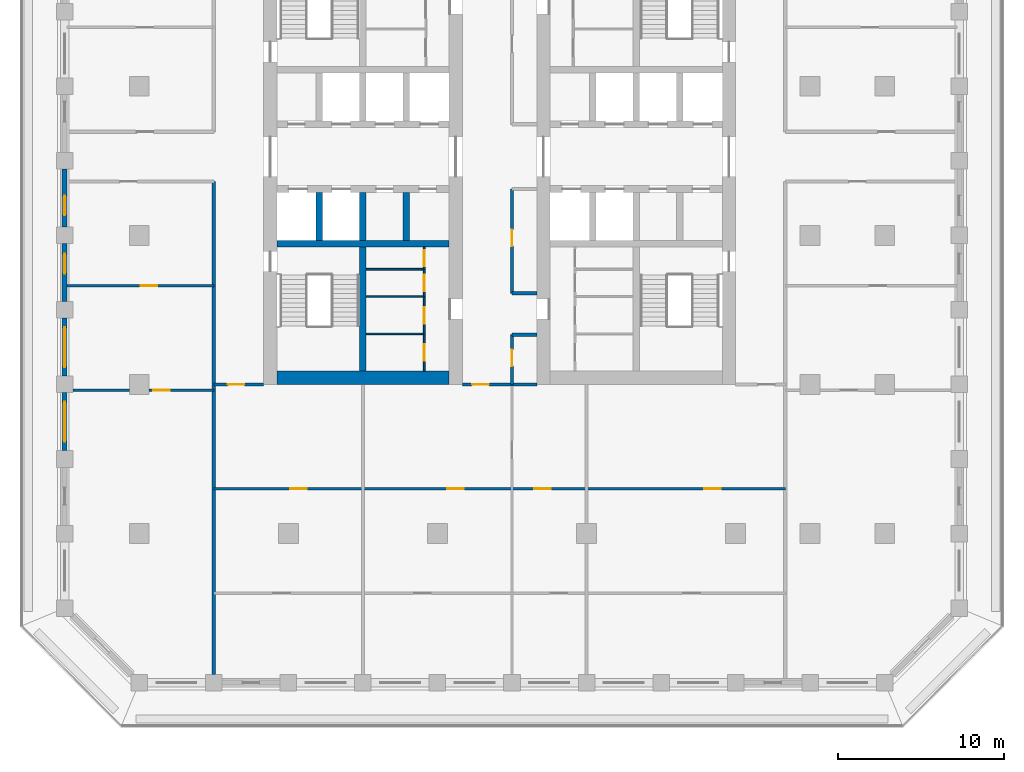
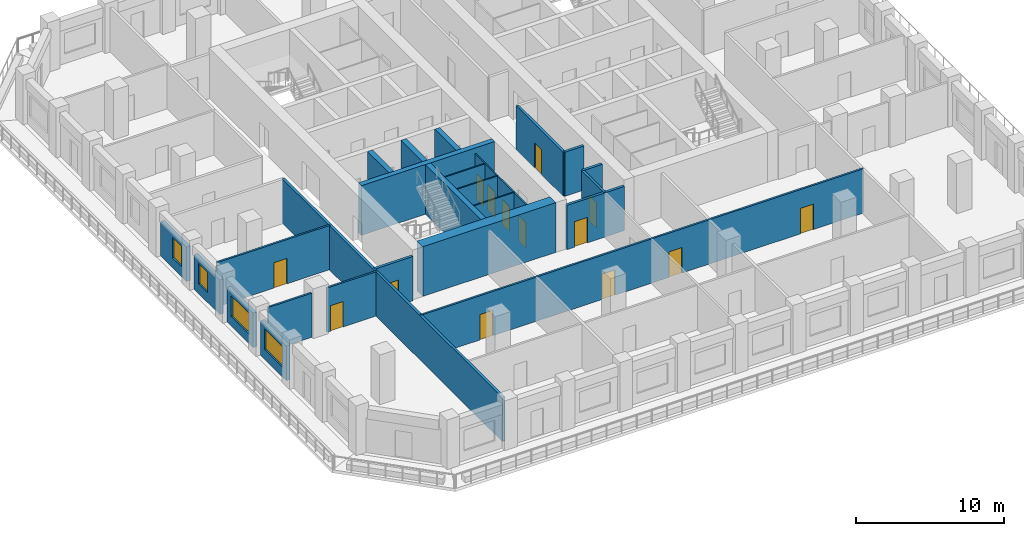
# One storey, part 3 of 16: 28 walls, 14 doors, 4 windows, 18 openings.
"""IFC4 building model written with IfcOpenShell, lengths in metres."""

from ifc_helpers import new_model, si_unit, direction, frame, frame_2d, origin, place, context, subcontext, project, spatial, rectangle, extrude, material, layer, layer_set, type_object, element, fill, save


model = new_model("IFC4")

# Units and contexts
model_context = context("Model", 3, precision=1e-05, world=origin(), true_north=direction((0.0, 1.0)))
body_context = subcontext(model_context, "Body", "Model", "MODEL_VIEW")
ifc_project = project(units=[si_unit("LENGTHUNIT", "METRE"), si_unit("AREAUNIT", "SQUARE_METRE"), si_unit("VOLUMEUNIT", "CUBIC_METRE"), si_unit("PLANEANGLEUNIT", "RADIAN"), si_unit("MASSUNIT", "GRAM", prefix="KILO")], contexts=[model_context])

# Site, building, storey
site_placement = place(None, origin())
site = spatial("IfcSite", under=ifc_project, at=site_placement, CompositionType="ELEMENT")
building_placement = place(site_placement, origin())
building = spatial("IfcBuilding", under=site, at=building_placement, Name="Corbel Stack Research Tower", CompositionType="ELEMENT")
storey_placement = place(building_placement, frame((0.0, 0.0, 212.0)))
storey = spatial("IfcBuildingStorey", under=building, at=storey_placement, Name="L48", CompositionType="ELEMENT", Elevation=212.0)

# Walls
ifc_material_1 = material(Name="Concrete C60/75", Category="concrete")
ifc_layer_1 = layer(ifc_material_1, 0.39990234375)
ifc_layer_set_1 = layer_set([ifc_layer_1], Name="Concrete C60/75")
wall_type_1 = type_object("IfcWallType", Name="CW-400-60", PredefinedType="SHEAR", material=ifc_layer_set_1)
wall_1_placement = place(storey_placement, frame((-9.699951171875, -0.5, 0.0), z_axis=(0.0, 0.0, 1.0), x_axis=(1.0, 0.0, 0.0)))
element("IfcWall", 1, at=wall_1_placement, inside=storey, type_object=wall_type_1, Name="West core wall, south row back L48", PredefinedType="SHEAR", context=body_context, shape_type="SweptSolid", body=[
    extrude(rectangle(XDim=10.39990234375, YDim=0.39990234375, at=frame_2d((5.199951171875, 0.0))), origin(), (0.0, 0.0, 1.0), 4.10009765625),
])
for number, where, z_axis, x_axis, name in (
    (2, (-7.125, -0.300048828125, 0.0), (0.0, 0.0, 1.0), (0.0, 1.0, 0.0), "West core wall, south shaft 1 L48"),
    (3, (-4.5, -0.300048828125, 0.0), (0.0, 0.0, 1.0), (0.0, 1.0, 0.0), "West core wall, south shaft 2 L48"),
    (4, (-1.875, -0.300048828125, 0.0), (0.0, 0.0, 1.0), (0.0, 1.0, 0.0), "West core wall, south shaft 3 L48"),
):
    element("IfcWall", number, at=place(storey_placement, frame(where, z_axis=z_axis, x_axis=x_axis)), inside=storey, type_object=wall_type_1, Name=name, PredefinedType="SHEAR", context=body_context, shape_type="SweptSolid", body=[
        extrude(rectangle(XDim=2.900146484375, YDim=0.39990234375, at=frame_2d((1.4501953125, 0.0))), origin(), (0.0, 0.0, 1.0), 4.10009765625),
    ])
wall_2_placement = place(storey_placement, frame((-4.5, -8.199951171875, 0.0), z_axis=(0.0, 0.0, 1.0), x_axis=(0.0, 1.0, 0.0)))
element("IfcWall", 5, at=wall_2_placement, inside=storey, type_object=wall_type_1, Name="West core wall, south stair and WC L48", PredefinedType="SHEAR", context=body_context, shape_type="SweptSolid", body=[
    extrude(rectangle(XDim=7.5, YDim=0.39990234375, at=frame_2d((3.75, 0.0))), origin(), (0.0, 0.0, 1.0), 4.10009765625),
])
ifc_material_2 = material(Name="Concrete C60/75", Category="concrete")
ifc_layer_2 = layer(ifc_material_2, 0.800048828125)
ifc_layer_set_2 = layer_set([ifc_layer_2], Name="Concrete C60/75")
wall_type_2 = type_object("IfcWallType", Name="CW-800-60", PredefinedType="SHEAR", material=ifc_layer_set_2)
wall_3_placement = place(storey_placement, frame((-9.699951171875, -8.60009765625, 0.0), z_axis=(0.0, 0.0, 1.0), x_axis=(1.0, 0.0, 0.0)))
element("IfcWall", 6, at=wall_3_placement, inside=storey, type_object=wall_type_2, Name="West core wall, south end L48", PredefinedType="SHEAR", context=body_context, shape_type="SweptSolid", body=[
    extrude(rectangle(XDim=10.39990234375, YDim=0.800048828125, at=frame_2d((5.199951171875, 0.0))), origin(), (0.0, 0.0, 1.0), 4.10009765625),
])

# Wall, opening, door
ifc_material_3 = material(Name="Gypsum board")
ifc_layer_3 = layer(ifc_material_3, 0.10009765625)
ifc_layer_set_3 = layer_set([ifc_layer_3], Name="Gypsum board")
wall_type_3 = type_object("IfcWallType", Name="Core partition 100", PredefinedType="PARTITIONING", material=ifc_layer_set_3)
wall_4_placement = place(storey_placement, frame((-0.800048828125, -8.199951171875, 0.0), z_axis=(0.0, 0.0, 1.0), x_axis=(0.0, 1.0, 0.0)))
wall_4 = element("IfcWall", 7, at=wall_4_placement, inside=storey, type_object=wall_type_3, Name="Core partition W", PredefinedType="PARTITIONING", context=body_context, shape_type="SweptSolid", body=[
    extrude(rectangle(XDim=2.25, YDim=0.10009765625, at=frame_2d((1.125, 0.0))), origin(), (0.0, 0.0, 1.0), 3.64990234375),
])
opening_1_placement = place(wall_4_placement, frame((0.625, 0.0, 0.0)))
opening_1 = element("IfcOpeningElement", 8, at=opening_1_placement, cuts=wall_4, Name="Opening CR-W42-W2-1000", PredefinedType="OPENING", context=body_context, shape_type="SweptSolid", body=[
    extrude(rectangle(XDim=1.0, YDim=2.10009765625, at=frame_2d((0.5, 1.050048828125))), frame((0.0, 0.06005859375, 0.0), z_axis=(0.0, -1.0, 0.0), x_axis=(1.0, 0.0, 0.0)), (0.0, 0.0, 1.0), 0.1201171875),
])
ifc_material_4 = material(Name="Painted timber door", Category="wood")
door_type_1 = type_object("IfcDoorType", Name="WC door 1000 x 2100 right hand", OperationType="SINGLE_SWING_RIGHT", PredefinedType="DOOR", material=ifc_material_4)
door_1_placement = place(opening_1_placement, origin())
door_1 = element("IfcDoor", 9, at=door_1_placement, inside=storey, type_object=door_type_1, Name="Men's WC door W core", OperationType="SINGLE_SWING_RIGHT", OverallHeight=2.10009765625, OverallWidth=1.0, PredefinedType="DOOR", context=body_context, shape_type="SweptSolid", body=[
    extrude(rectangle(XDim=1.0, YDim=2.10009765625, at=frame_2d((0.5, 1.050048828125))), frame((0.0, 0.02490234375, 0.0), z_axis=(0.0, -1.0, 0.0), x_axis=(1.0, 0.0, 0.0)), (0.0, 0.0, 1.0), 0.050048828125),
])
fill(opening_1, door_1)

wall_5_placement = place(storey_placement, frame((-0.800048828125, -5.949951171875, 0.0), z_axis=(0.0, 0.0, 1.0), x_axis=(0.0, 1.0, 0.0)))
wall_5 = element("IfcWall", 10, at=wall_5_placement, inside=storey, type_object=wall_type_3, Name="Core partition W", PredefinedType="PARTITIONING", context=body_context, shape_type="SweptSolid", body=[
    extrude(rectangle(XDim=2.25, YDim=0.10009765625, at=frame_2d((1.125, 0.0))), origin(), (0.0, 0.0, 1.0), 3.64990234375),
])
opening_2_placement = place(wall_5_placement, frame((0.625, 0.0, 0.0)))
opening_2 = element("IfcOpeningElement", 11, at=opening_2_placement, cuts=wall_5, Name="Opening CR-W42-W3-1000", PredefinedType="OPENING", context=body_context, shape_type="SweptSolid", body=[
    extrude(rectangle(XDim=1.0, YDim=2.10009765625, at=frame_2d((0.5, 1.050048828125))), frame((0.0, 0.06005859375, 0.0), z_axis=(0.0, -1.0, 0.0), x_axis=(1.0, 0.0, 0.0)), (0.0, 0.0, 1.0), 0.1201171875),
])
ifc_material_5 = material(Name="Painted timber door", Category="wood")
door_type_2 = type_object("IfcDoorType", Name="WC door 1000 x 2100 left hand", OperationType="SINGLE_SWING_LEFT", PredefinedType="DOOR", material=ifc_material_5)
door_2_placement = place(opening_2_placement, origin())
door_2 = element("IfcDoor", 12, at=door_2_placement, inside=storey, type_object=door_type_2, Name="Women's WC door W core", OperationType="SINGLE_SWING_LEFT", OverallHeight=2.10009765625, OverallWidth=1.0, PredefinedType="DOOR", context=body_context, shape_type="SweptSolid", body=[
    extrude(rectangle(XDim=1.0, YDim=2.10009765625, at=frame_2d((0.5, 1.050048828125))), frame((0.0, 0.02490234375, 0.0), z_axis=(0.0, -1.0, 0.0), x_axis=(1.0, 0.0, 0.0)), (0.0, 0.0, 1.0), 0.050048828125),
])
fill(opening_2, door_2)

wall_6_placement = place(storey_placement, frame((-0.800048828125, -3.699951171875, 0.0), z_axis=(0.0, 0.0, 1.0), x_axis=(0.0, 1.0, 0.0)))
wall_6 = element("IfcWall", 13, at=wall_6_placement, inside=storey, type_object=wall_type_3, Name="Core partition W", PredefinedType="PARTITIONING", context=body_context, shape_type="SweptSolid", body=[
    extrude(rectangle(XDim=1.64990234375, YDim=0.10009765625, at=frame_2d((0.824951171875, 0.0))), origin(), (0.0, 0.0, 1.0), 3.64990234375),
])
opening_3_placement = place(wall_6_placement, frame((0.324951171875, 0.0, 0.0)))
opening_3 = element("IfcOpeningElement", 14, at=opening_3_placement, cuts=wall_6, Name="Opening CR-W42-W4-1000", PredefinedType="OPENING", context=body_context, shape_type="SweptSolid", body=[
    extrude(rectangle(XDim=1.0, YDim=2.10009765625, at=frame_2d((0.5, 1.050048828125))), frame((0.0, 0.06005859375, 0.0), z_axis=(0.0, -1.0, 0.0), x_axis=(1.0, 0.0, 0.0)), (0.0, 0.0, 1.0), 0.1201171875),
])
door_3_placement = place(opening_3_placement, origin())
door_3 = element("IfcDoor", 15, at=door_3_placement, inside=storey, type_object=door_type_1, Name="Accessible WC door W core", OperationType="SINGLE_SWING_RIGHT", OverallHeight=2.10009765625, OverallWidth=1.0, PredefinedType="DOOR", context=body_context, shape_type="SweptSolid", body=[
    extrude(rectangle(XDim=1.0, YDim=2.10009765625, at=frame_2d((0.5, 1.050048828125))), frame((0.0, 0.02490234375, 0.0), z_axis=(0.0, -1.0, 0.0), x_axis=(1.0, 0.0, 0.0)), (0.0, 0.0, 1.0), 0.050048828125),
])
fill(opening_3, door_3)

wall_7_placement = place(storey_placement, frame((-0.800048828125, -2.050048828125, 0.0), z_axis=(0.0, 0.0, 1.0), x_axis=(0.0, 1.0, 0.0)))
wall_7 = element("IfcWall", 16, at=wall_7_placement, inside=storey, type_object=wall_type_3, Name="Core partition W", PredefinedType="PARTITIONING", context=body_context, shape_type="SweptSolid", body=[
    extrude(rectangle(XDim=1.35009765625, YDim=0.10009765625, at=frame_2d((0.675048828125, 0.0))), origin(), (0.0, 0.0, 1.0), 3.64990234375),
])
opening_4_placement = place(wall_7_placement, frame((0.199951171875, 0.0, 0.0)))
opening_4 = element("IfcOpeningElement", 17, at=opening_4_placement, cuts=wall_7, Name="Opening CR-W42-W5-950", PredefinedType="OPENING", context=body_context, shape_type="SweptSolid", body=[
    extrude(rectangle(XDim=0.949951171875, YDim=2.10009765625, at=frame_2d((0.47509765625, 1.050048828125))), frame((0.0, 0.06005859375, 0.0), z_axis=(0.0, -1.0, 0.0), x_axis=(1.0, 0.0, 0.0)), (0.0, 0.0, 1.0), 0.1201171875),
])
ifc_material_6 = material(Name="Painted steel door", Category="steel")
door_type_3 = type_object("IfcDoorType", Name="Service door 950 x 2100 FD30 left hand", OperationType="SINGLE_SWING_LEFT", PredefinedType="DOOR", material=ifc_material_6)
door_4_placement = place(opening_4_placement, origin())
door_4 = element("IfcDoor", 18, at=door_4_placement, inside=storey, type_object=door_type_3, Name="Cleaner's store door W core", OperationType="SINGLE_SWING_LEFT", OverallHeight=2.10009765625, OverallWidth=0.949951171875, PredefinedType="DOOR", context=body_context, shape_type="SweptSolid", body=[
    extrude(rectangle(XDim=0.949951171875, YDim=2.10009765625, at=frame_2d((0.47509765625, 1.050048828125))), frame((0.0, 0.02490234375, 0.0), z_axis=(0.0, -1.0, 0.0), x_axis=(1.0, 0.0, 0.0)), (0.0, 0.0, 1.0), 0.050048828125),
])
fill(opening_4, door_4)

# Walls
for number, where, z_axis, x_axis, name in (
    (19, (-4.300048828125, -5.949951171875, 0.0), (0.0, 0.0, 1.0), (1.0, 0.0, 0.0), "Core partition W"),
    (20, (-4.300048828125, -3.699951171875, 0.0), (0.0, 0.0, 1.0), (1.0, 0.0, 0.0), "Core partition W"),
    (21, (-4.300048828125, -2.050048828125, 0.0), (0.0, 0.0, 1.0), (1.0, 0.0, 0.0), "Core partition W"),
):
    element("IfcWall", number, at=place(storey_placement, frame(where, z_axis=z_axis, x_axis=x_axis)), inside=storey, type_object=wall_type_3, Name=name, PredefinedType="PARTITIONING", context=body_context, shape_type="SweptSolid", body=[
        extrude(rectangle(XDim=3.5, YDim=0.10009765625, at=frame_2d((1.75, 0.0))), origin(), (0.0, 0.0, 1.0), 3.64990234375),
    ])
ifc_material_7 = material(Name="Fire-rated gypsum board partition on steel studs", Category="steel")
ifc_layer_4 = layer(ifc_material_7, 0.199951171875)
ifc_layer_set_4 = layer_set([ifc_layer_4], Name="Fire-rated gypsum board partition on steel studs")
wall_type_4 = type_object("IfcWallType", Name="Fire-rated partition 200 EI 60", PredefinedType="PARTITIONING", material=ifc_layer_set_4)
wall_8_placement = place(storey_placement, frame((-13.5, -26.5, 0.0), z_axis=(0.0, 0.0, 1.0), x_axis=(0.0, 1.0, 0.0)))
element("IfcWall", 22, at=wall_8_placement, inside=storey, type_object=wall_type_4, Name="Partition L48-001", PredefinedType="PARTITIONING", context=body_context, shape_type="SweptSolid", body=[
    extrude(rectangle(XDim=29.75, YDim=0.199951171875, at=frame_2d((14.875, 0.0))), origin(), (0.0, 0.0, 1.0), 3.64990234375),
])

# Wall, opening, door
wall_9_placement = place(storey_placement, frame((4.5, -6.0, 0.0), z_axis=(0.0, 0.0, 1.0), x_axis=(0.0, -1.0, 0.0)))
wall_9 = element("IfcWall", 23, at=wall_9_placement, inside=storey, type_object=wall_type_4, Name="Partition L48-007", PredefinedType="PARTITIONING", context=body_context, shape_type="SweptSolid", body=[
    extrude(rectangle(XDim=3.0, YDim=0.199951171875, at=frame_2d((1.5, 0.0))), origin(), (0.0, 0.0, 1.0), 3.64990234375),
])
opening_5_placement = place(wall_9_placement, frame((0.89990234375, 0.0, 0.0)))
opening_5 = element("IfcOpeningElement", 24, at=opening_5_placement, cuts=wall_9, Name="Opening B6V1-019", PredefinedType="OPENING", context=body_context, shape_type="SweptSolid", body=[
    extrude(rectangle(XDim=1.0, YDim=2.10009765625, at=frame_2d((0.5, 1.050048828125))), frame((0.0, 0.10986328125, 0.0), z_axis=(0.0, -1.0, 0.0), x_axis=(1.0, 0.0, 0.0)), (0.0, 0.0, 1.0), 0.219970703125),
])
ifc_material_8 = material(Name="Painted steel fire door", Category="steel")
door_type_4 = type_object("IfcDoorType", Name="Fire door FD30S 1000 x 2100", OperationType="NOTDEFINED", PredefinedType="DOOR", material=ifc_material_8)
door_5_placement = place(opening_5_placement, origin())
door_5 = element("IfcDoor", 25, at=door_5_placement, inside=storey, type_object=door_type_4, Name="Door B6V1-019", OperationType="SINGLE_SWING_LEFT", OverallHeight=2.10009765625, OverallWidth=1.0, PredefinedType="DOOR", context=body_context, shape_type="SweptSolid", body=[
    extrude(rectangle(XDim=1.0, YDim=2.10009765625, at=frame_2d((0.5, 1.050048828125))), frame((0.0, 0.02490234375, 0.0), z_axis=(0.0, -1.0, 0.0), x_axis=(1.0, 0.0, 0.0)), (0.0, 0.0, 1.0), 0.050048828125),
])
fill(opening_5, door_5)

wall_10_placement = place(storey_placement, frame((4.5, 2.800048828125, 0.0), z_axis=(0.0, 0.0, 1.0), x_axis=(0.0, -1.0, 0.0)))
wall_10 = element("IfcWall", 26, at=wall_10_placement, inside=storey, type_object=wall_type_4, Name="Partition L48-008", PredefinedType="PARTITIONING", context=body_context, shape_type="SweptSolid", body=[
    extrude(rectangle(XDim=6.300048828125, YDim=0.199951171875, at=frame_2d((3.14990234375, 0.0))), origin(), (0.0, 0.0, 1.0), 3.64990234375),
])
opening_6_placement = place(wall_10_placement, frame((2.449951171875, 0.0, 0.0)))
opening_6 = element("IfcOpeningElement", 27, at=opening_6_placement, cuts=wall_10, Name="Opening B6V1-020", PredefinedType="OPENING", context=body_context, shape_type="SweptSolid", body=[
    extrude(rectangle(XDim=1.0, YDim=2.10009765625, at=frame_2d((0.5, 1.050048828125))), frame((0.0, 0.10986328125, 0.0), z_axis=(0.0, -1.0, 0.0), x_axis=(1.0, 0.0, 0.0)), (0.0, 0.0, 1.0), 0.219970703125),
])
door_6_placement = place(opening_6_placement, origin())
door_6 = element("IfcDoor", 28, at=door_6_placement, inside=storey, type_object=door_type_4, Name="Door B6V1-020", OperationType="SINGLE_SWING_LEFT", OverallHeight=2.10009765625, OverallWidth=1.0, PredefinedType="DOOR", context=body_context, shape_type="SweptSolid", body=[
    extrude(rectangle(XDim=1.0, YDim=2.10009765625, at=frame_2d((0.5, 1.050048828125))), frame((0.0, 0.02490234375, 0.0), z_axis=(0.0, -1.0, 0.0), x_axis=(1.0, 0.0, 0.0)), (0.0, 0.0, 1.0), 0.050048828125),
])
fill(opening_6, door_6)

wall_11_placement = place(storey_placement, frame((-10.5, -9.0, 0.0), z_axis=(0.0, 0.0, 1.0), x_axis=(-1.0, 0.0, 0.0)))
wall_11 = element("IfcWall", 29, at=wall_11_placement, inside=storey, type_object=wall_type_4, Name="Partition L48-023", PredefinedType="PARTITIONING", context=body_context, shape_type="SweptSolid", body=[
    extrude(rectangle(XDim=3.0, YDim=0.199951171875, at=frame_2d((1.5, 0.0))), origin(), (0.0, 0.0, 1.0), 3.64990234375),
])
opening_7_placement = place(wall_11_placement, frame((1.14990234375, 0.0, 0.0)))
opening_7 = element("IfcOpeningElement", 30, at=opening_7_placement, cuts=wall_11, Name="Opening B6V1-011", PredefinedType="OPENING", context=body_context, shape_type="SweptSolid", body=[
    extrude(rectangle(XDim=1.0, YDim=2.10009765625, at=frame_2d((0.5, 1.050048828125))), frame((0.0, 0.10986328125, 0.0), z_axis=(0.0, -1.0, 0.0), x_axis=(1.0, 0.0, 0.0)), (0.0, 0.0, 1.0), 0.219970703125),
])
door_7_placement = place(opening_7_placement, origin())
door_7 = element("IfcDoor", 31, at=door_7_placement, inside=storey, type_object=door_type_4, Name="Door B6V1-011", OperationType="SINGLE_SWING_RIGHT", OverallHeight=2.10009765625, OverallWidth=1.0, PredefinedType="DOOR", context=body_context, shape_type="SweptSolid", body=[
    extrude(rectangle(XDim=1.0, YDim=2.10009765625, at=frame_2d((0.5, 1.050048828125))), frame((0.0, 0.02490234375, 0.0), z_axis=(0.0, -1.0, 0.0), x_axis=(1.0, 0.0, 0.0)), (0.0, 0.0, 1.0), 0.050048828125),
])
fill(opening_7, door_7)

wall_12_placement = place(storey_placement, frame((6.0, -9.0, 0.0), z_axis=(0.0, 0.0, 1.0), x_axis=(-1.0, 0.0, 0.0)))
wall_12 = element("IfcWall", 32, at=wall_12_placement, inside=storey, type_object=wall_type_4, Name="Partition L48-024", PredefinedType="PARTITIONING", context=body_context, shape_type="SweptSolid", body=[
    extrude(rectangle(XDim=4.5, YDim=0.199951171875, at=frame_2d((2.25, 0.0))), origin(), (0.0, 0.0, 1.0), 3.64990234375),
])
opening_8_placement = place(wall_12_placement, frame((2.89990234375, 0.0, 0.0)))
opening_8 = element("IfcOpeningElement", 33, at=opening_8_placement, cuts=wall_12, Name="Opening B6V1-012", PredefinedType="OPENING", context=body_context, shape_type="SweptSolid", body=[
    extrude(rectangle(XDim=1.0, YDim=2.10009765625, at=frame_2d((0.5, 1.050048828125))), frame((0.0, 0.10986328125, 0.0), z_axis=(0.0, -1.0, 0.0), x_axis=(1.0, 0.0, 0.0)), (0.0, 0.0, 1.0), 0.219970703125),
])
door_8_placement = place(opening_8_placement, origin())
door_8 = element("IfcDoor", 34, at=door_8_placement, inside=storey, type_object=door_type_4, Name="Door B6V1-012", OperationType="SINGLE_SWING_RIGHT", OverallHeight=2.10009765625, OverallWidth=1.0, PredefinedType="DOOR", context=body_context, shape_type="SweptSolid", body=[
    extrude(rectangle(XDim=1.0, YDim=2.10009765625, at=frame_2d((0.5, 1.050048828125))), frame((0.0, 0.02490234375, 0.0), z_axis=(0.0, -1.0, 0.0), x_axis=(1.0, 0.0, 0.0)), (0.0, 0.0, 1.0), 0.050048828125),
])
fill(opening_8, door_8)

# Walls
for number, where, z_axis, x_axis, name in (
    (35, (4.5, -6.0, 0.0), (0.0, 0.0, 1.0), (1.0, 0.0, 0.0), "Partition L48-026"),
    (36, (4.5, -3.5, 0.0), (0.0, 0.0, 1.0), (1.0, 0.0, 0.0), "Partition L48-027"),
):
    element("IfcWall", number, at=place(storey_placement, frame(where, z_axis=z_axis, x_axis=x_axis)), inside=storey, type_object=wall_type_4, Name=name, PredefinedType="PARTITIONING", context=body_context, shape_type="SweptSolid", body=[
        extrude(rectangle(XDim=1.5, YDim=0.199951171875, at=frame_2d((0.75, 0.0))), origin(), (0.0, 0.0, 1.0), 3.64990234375),
    ])

# Wall, openings, doors
ifc_material_9 = material(Name="Gypsum board partition on steel studs", Category="steel")
ifc_layer_5 = layer(ifc_material_9, 0.14990234375)
ifc_layer_set_5 = layer_set([ifc_layer_5], Name="Gypsum board partition on steel studs")
wall_type_5 = type_object("IfcWallType", Name="Partition 150", PredefinedType="PARTITIONING", material=ifc_layer_set_5)
wall_13_placement = place(storey_placement, frame((21.0, -15.300048828125, 0.0), z_axis=(0.0, 0.0, 1.0), x_axis=(-1.0, 0.0, 0.0)))
wall_13 = element("IfcWall", 37, at=wall_13_placement, inside=storey, type_object=wall_type_5, Name="Partition L48-017", PredefinedType="PARTITIONING", context=body_context, shape_type="SweptSolid", body=[
    extrude(rectangle(XDim=34.5, YDim=0.14990234375, at=frame_2d((17.25, 0.0))), origin(), (0.0, 0.0, 1.0), 3.64990234375),
])
opening_9_placement = place(wall_13_placement, frame((28.89990234375, 0.0, 0.0)))
opening_9 = element("IfcOpeningElement", 38, at=opening_9_placement, cuts=wall_13, Name="Opening B6V1-005", PredefinedType="OPENING", context=body_context, shape_type="SweptSolid", body=[
    extrude(rectangle(XDim=1.0, YDim=2.10009765625, at=frame_2d((0.5, 1.050048828125))), frame((0.0, 0.0849609375, 0.0), z_axis=(0.0, -1.0, 0.0), x_axis=(1.0, 0.0, 0.0)), (0.0, 0.0, 1.0), 0.169921875),
])
opening_10_placement = place(wall_13_placement, frame((19.39990234375, 0.0, 0.0)))
opening_10 = element("IfcOpeningElement", 39, at=opening_10_placement, cuts=wall_13, Name="Opening B6V1-006", PredefinedType="OPENING", context=body_context, shape_type="SweptSolid", body=[
    extrude(rectangle(XDim=1.0, YDim=2.10009765625, at=frame_2d((0.5, 1.050048828125))), frame((0.0, 0.0849609375, 0.0), z_axis=(0.0, -1.0, 0.0), x_axis=(1.0, 0.0, 0.0)), (0.0, 0.0, 1.0), 0.169921875),
])
opening_11_placement = place(wall_13_placement, frame((14.14990234375, 0.0, 0.0)))
opening_11 = element("IfcOpeningElement", 40, at=opening_11_placement, cuts=wall_13, Name="Opening B6V1-007", PredefinedType="OPENING", context=body_context, shape_type="SweptSolid", body=[
    extrude(rectangle(XDim=1.0, YDim=2.10009765625, at=frame_2d((0.5, 1.050048828125))), frame((0.0, 0.0849609375, 0.0), z_axis=(0.0, -1.0, 0.0), x_axis=(1.0, 0.0, 0.0)), (0.0, 0.0, 1.0), 0.169921875),
])
opening_12_placement = place(wall_13_placement, frame((3.89990234375, 0.0, 0.0)))
opening_12 = element("IfcOpeningElement", 41, at=opening_12_placement, cuts=wall_13, Name="Opening B6V1-008", PredefinedType="OPENING", context=body_context, shape_type="SweptSolid", body=[
    extrude(rectangle(XDim=1.0, YDim=2.10009765625, at=frame_2d((0.5, 1.050048828125))), frame((0.0, 0.0849609375, 0.0), z_axis=(0.0, -1.0, 0.0), x_axis=(1.0, 0.0, 0.0)), (0.0, 0.0, 1.0), 0.169921875),
])
ifc_material_10 = material(Name="Painted timber door", Category="wood")
door_type_5 = type_object("IfcDoorType", Name="Single door 1000 x 2100", OperationType="NOTDEFINED", PredefinedType="DOOR", material=ifc_material_10)
door_9_placement = place(opening_9_placement, origin())
door_9 = element("IfcDoor", 42, at=door_9_placement, inside=storey, type_object=door_type_5, Name="Door B6V1-005", OperationType="SINGLE_SWING_RIGHT", OverallHeight=2.10009765625, OverallWidth=1.0, PredefinedType="DOOR", context=body_context, shape_type="SweptSolid", body=[
    extrude(rectangle(XDim=1.0, YDim=2.10009765625, at=frame_2d((0.5, 1.050048828125))), frame((0.0, 0.02490234375, 0.0), z_axis=(0.0, -1.0, 0.0), x_axis=(1.0, 0.0, 0.0)), (0.0, 0.0, 1.0), 0.050048828125),
])
fill(opening_9, door_9)
door_10_placement = place(opening_10_placement, origin())
door_10 = element("IfcDoor", 43, at=door_10_placement, inside=storey, type_object=door_type_5, Name="Door B6V1-006", OperationType="SINGLE_SWING_RIGHT", OverallHeight=2.10009765625, OverallWidth=1.0, PredefinedType="DOOR", context=body_context, shape_type="SweptSolid", body=[
    extrude(rectangle(XDim=1.0, YDim=2.10009765625, at=frame_2d((0.5, 1.050048828125))), frame((0.0, 0.02490234375, 0.0), z_axis=(0.0, -1.0, 0.0), x_axis=(1.0, 0.0, 0.0)), (0.0, 0.0, 1.0), 0.050048828125),
])
fill(opening_10, door_10)
door_11_placement = place(opening_11_placement, origin())
door_11 = element("IfcDoor", 44, at=door_11_placement, inside=storey, type_object=door_type_5, Name="Door B6V1-007", OperationType="SINGLE_SWING_LEFT", OverallHeight=2.10009765625, OverallWidth=1.0, PredefinedType="DOOR", context=body_context, shape_type="SweptSolid", body=[
    extrude(rectangle(XDim=1.0, YDim=2.10009765625, at=frame_2d((0.5, 1.050048828125))), frame((0.0, 0.02490234375, 0.0), z_axis=(0.0, -1.0, 0.0), x_axis=(1.0, 0.0, 0.0)), (0.0, 0.0, 1.0), 0.050048828125),
])
fill(opening_11, door_11)
door_12_placement = place(opening_12_placement, origin())
door_12 = element("IfcDoor", 45, at=door_12_placement, inside=storey, type_object=door_type_5, Name="Door B6V1-008", OperationType="SINGLE_SWING_LEFT", OverallHeight=2.10009765625, OverallWidth=1.0, PredefinedType="DOOR", context=body_context, shape_type="SweptSolid", body=[
    extrude(rectangle(XDim=1.0, YDim=2.10009765625, at=frame_2d((0.5, 1.050048828125))), frame((0.0, 0.02490234375, 0.0), z_axis=(0.0, -1.0, 0.0), x_axis=(1.0, 0.0, 0.0)), (0.0, 0.0, 1.0), 0.050048828125),
])
fill(opening_12, door_12)

# Wall
wall_14_placement = place(storey_placement, frame((-22.0, -9.35009765625, 0.0), z_axis=(0.0, 0.0, 1.0), x_axis=(1.0, 0.0, 0.0)))
element("IfcWall", 46, at=wall_14_placement, inside=storey, type_object=wall_type_5, Name="Partition L48-018", PredefinedType="PARTITIONING", context=body_context, shape_type="SweptSolid", body=[
    extrude(rectangle(XDim=3.39990234375, YDim=0.14990234375, at=frame_2d((1.699951171875, 0.0))), origin(), (0.0, 0.0, 1.0), 3.64990234375),
])

# Wall, opening, door
wall_15_placement = place(storey_placement, frame((-13.5, -9.35009765625, 0.0), z_axis=(0.0, 0.0, 1.0), x_axis=(-1.0, 0.0, 0.0)))
wall_15 = element("IfcWall", 47, at=wall_15_placement, inside=storey, type_object=wall_type_5, Name="Partition L48-019", PredefinedType="PARTITIONING", context=body_context, shape_type="SweptSolid", body=[
    extrude(rectangle(XDim=3.89990234375, YDim=0.14990234375, at=frame_2d((1.949951171875, 0.0))), origin(), (0.0, 0.0, 1.0), 3.64990234375),
])
opening_13_placement = place(wall_15_placement, frame((2.64990234375, 0.0, 0.0)))
opening_13 = element("IfcOpeningElement", 48, at=opening_13_placement, cuts=wall_15, Name="Opening B6V1-009", PredefinedType="OPENING", context=body_context, shape_type="SweptSolid", body=[
    extrude(rectangle(XDim=1.0, YDim=2.10009765625, at=frame_2d((0.5, 1.050048828125))), frame((0.0, 0.0849609375, 0.0), z_axis=(0.0, -1.0, 0.0), x_axis=(1.0, 0.0, 0.0)), (0.0, 0.0, 1.0), 0.169921875),
])
door_13_placement = place(opening_13_placement, origin())
door_13 = element("IfcDoor", 49, at=door_13_placement, inside=storey, type_object=door_type_5, Name="Door B6V1-009", OperationType="SINGLE_SWING_RIGHT", OverallHeight=2.10009765625, OverallWidth=1.0, PredefinedType="DOOR", context=body_context, shape_type="SweptSolid", body=[
    extrude(rectangle(XDim=1.0, YDim=2.10009765625, at=frame_2d((0.5, 1.050048828125))), frame((0.0, 0.02490234375, 0.0), z_axis=(0.0, -1.0, 0.0), x_axis=(1.0, 0.0, 0.0)), (0.0, 0.0, 1.0), 0.050048828125),
])
fill(opening_13, door_13)

wall_16_placement = place(storey_placement, frame((-13.5, -3.050048828125, 0.0), z_axis=(0.0, 0.0, 1.0), x_axis=(-1.0, 0.0, 0.0)))
wall_16 = element("IfcWall", 50, at=wall_16_placement, inside=storey, type_object=wall_type_5, Name="Partition L48-028", PredefinedType="PARTITIONING", context=body_context, shape_type="SweptSolid", body=[
    extrude(rectangle(XDim=8.85009765625, YDim=0.14990234375, at=frame_2d((4.425048828125, 0.0))), origin(), (0.0, 0.0, 1.0), 3.64990234375),
])
opening_14_placement = place(wall_16_placement, frame((3.39990234375, 0.0, 0.0)))
opening_14 = element("IfcOpeningElement", 51, at=opening_14_placement, cuts=wall_16, Name="Opening B6V1-014", PredefinedType="OPENING", context=body_context, shape_type="SweptSolid", body=[
    extrude(rectangle(XDim=1.0, YDim=2.10009765625, at=frame_2d((0.5, 1.050048828125))), frame((0.0, 0.0849609375, 0.0), z_axis=(0.0, -1.0, 0.0), x_axis=(1.0, 0.0, 0.0)), (0.0, 0.0, 1.0), 0.169921875),
])
door_14_placement = place(opening_14_placement, origin())
door_14 = element("IfcDoor", 52, at=door_14_placement, inside=storey, type_object=door_type_5, Name="Door B6V1-014", OperationType="SINGLE_SWING_LEFT", OverallHeight=2.10009765625, OverallWidth=1.0, PredefinedType="DOOR", context=body_context, shape_type="SweptSolid", body=[
    extrude(rectangle(XDim=1.0, YDim=2.10009765625, at=frame_2d((0.5, 1.050048828125))), frame((0.0, 0.02490234375, 0.0), z_axis=(0.0, -1.0, 0.0), x_axis=(1.0, 0.0, 0.0)), (0.0, 0.0, 1.0), 0.050048828125),
])
fill(opening_14, door_14)

# Wall, opening, window
ifc_material_11 = material(Name="Concrete C45/55", Category="concrete")
ifc_layer_6 = layer(ifc_material_11, 0.300048828125)
ifc_layer_set_6 = layer_set([ifc_layer_6], Name="Concrete C45/55")
wall_type_6 = type_object("IfcWallType", Name="Terracotta-faced concrete wall 300", PredefinedType="SOLIDWALL", material=ifc_layer_set_6)
wall_17_placement = place(storey_placement, frame((-22.5, 0.5, 0.0), z_axis=(0.0, 0.0, 1.0), x_axis=(0.0, 1.0, 0.0)))
wall_17 = element("IfcWall", 53, at=wall_17_placement, inside=storey, type_object=wall_type_6, Name="Facade wall L48 W05", PredefinedType="SOLIDWALL", context=body_context, shape_type="SweptSolid", body=[
    extrude(rectangle(XDim=3.5, YDim=0.300048828125, at=frame_2d((1.75, 0.0))), origin(), (0.0, 0.0, 1.0), 2.85009765625),
])
opening_15_placement = place(wall_17_placement, frame((0.699951171875, 0.0, 0.800048828125)))
opening_15 = element("IfcOpeningElement", 54, at=opening_15_placement, cuts=wall_17, Name="Opening W2", PredefinedType="OPENING", context=body_context, shape_type="SweptSolid", body=[
    extrude(rectangle(XDim=1.199951171875, YDim=1.699951171875, at=frame_2d((0.60009765625, 0.85009765625))), frame((0.0, 0.159912109375, 0.0), z_axis=(0.0, -1.0, 0.0), x_axis=(1.0, 0.0, 0.0)), (0.0, 0.0, 1.0), 0.320068359375),
])
ifc_material_12 = material(Name="Aluminium frame, clear double glazing", Category="aluminium")
window_type_1 = type_object("IfcWindowType", Name="Window W2 1200 x 1700", PartitioningType="SINGLE_PANEL", PredefinedType="WINDOW", material=ifc_material_12)
window_1_placement = place(opening_15_placement, origin())
window_1 = element("IfcWindow", 55, at=window_1_placement, inside=storey, type_object=window_type_1, Name="Window W2 L48 W05", OverallHeight=1.699951171875, OverallWidth=1.199951171875, PartitioningType="SINGLE_PANEL", PredefinedType="WINDOW", context=body_context, shape_type="SweptSolid", body=[
    extrude(rectangle(XDim=1.199951171875, YDim=1.699951171875, at=frame_2d((0.60009765625, 0.85009765625))), frame((0.0, 0.030029296875, 0.0), z_axis=(0.0, -1.0, 0.0), x_axis=(1.0, 0.0, 0.0)), (0.0, 0.0, 1.0), 0.06005859375),
])
fill(opening_15, window_1)

wall_18_placement = place(storey_placement, frame((-22.5, -4.0, 0.0), z_axis=(0.0, 0.0, 1.0), x_axis=(0.0, 1.0, 0.0)))
wall_18 = element("IfcWall", 56, at=wall_18_placement, inside=storey, type_object=wall_type_6, Name="Facade wall L48 W06", PredefinedType="SOLIDWALL", context=body_context, shape_type="SweptSolid", body=[
    extrude(rectangle(XDim=3.5, YDim=0.300048828125, at=frame_2d((1.75, 0.0))), origin(), (0.0, 0.0, 1.0), 2.85009765625),
])
opening_16_placement = place(wall_18_placement, frame((1.6875, 0.0, 0.800048828125)))
opening_16 = element("IfcOpeningElement", 57, at=opening_16_placement, cuts=wall_18, Name="Opening W2", PredefinedType="OPENING", context=body_context, shape_type="SweptSolid", body=[
    extrude(rectangle(XDim=1.199951171875, YDim=1.699951171875, at=frame_2d((0.60009765625, 0.85009765625))), frame((0.0, 0.159912109375, 0.0), z_axis=(0.0, -1.0, 0.0), x_axis=(1.0, 0.0, 0.0)), (0.0, 0.0, 1.0), 0.320068359375),
])
window_2_placement = place(opening_16_placement, origin())
window_2 = element("IfcWindow", 58, at=window_2_placement, inside=storey, type_object=window_type_1, Name="Window W2 L48 W06", OverallHeight=1.699951171875, OverallWidth=1.199951171875, PartitioningType="SINGLE_PANEL", PredefinedType="WINDOW", context=body_context, shape_type="SweptSolid", body=[
    extrude(rectangle(XDim=1.199951171875, YDim=1.699951171875, at=frame_2d((0.60009765625, 0.85009765625))), frame((0.0, 0.030029296875, 0.0), z_axis=(0.0, -1.0, 0.0), x_axis=(1.0, 0.0, 0.0)), (0.0, 0.0, 1.0), 0.06005859375),
])
fill(opening_16, window_2)

wall_19_placement = place(storey_placement, frame((-22.5, -8.5, 0.0), z_axis=(0.0, 0.0, 1.0), x_axis=(0.0, 1.0, 0.0)))
wall_19 = element("IfcWall", 59, at=wall_19_placement, inside=storey, type_object=wall_type_6, Name="Facade wall L48 W07", PredefinedType="SOLIDWALL", context=body_context, shape_type="SweptSolid", body=[
    extrude(rectangle(XDim=3.5, YDim=0.300048828125, at=frame_2d((1.75, 0.0))), origin(), (0.0, 0.0, 1.0), 2.85009765625),
])
opening_17_placement = place(wall_19_placement, frame((0.550048828125, 0.0, 0.800048828125)))
opening_17 = element("IfcOpeningElement", 60, at=opening_17_placement, cuts=wall_19, Name="Opening W1", PredefinedType="OPENING", context=body_context, shape_type="SweptSolid", body=[
    extrude(rectangle(XDim=2.39990234375, YDim=1.699951171875, at=frame_2d((1.199951171875, 0.85009765625))), frame((0.0, 0.159912109375, 0.0), z_axis=(0.0, -1.0, 0.0), x_axis=(1.0, 0.0, 0.0)), (0.0, 0.0, 1.0), 0.320068359375),
])
ifc_material_13 = material(Name="Aluminium frame, clear double glazing", Category="aluminium")
window_type_2 = type_object("IfcWindowType", Name="Window W1 2400 x 1700", PartitioningType="SINGLE_PANEL", PredefinedType="WINDOW", material=ifc_material_13)
window_3_placement = place(opening_17_placement, origin())
window_3 = element("IfcWindow", 61, at=window_3_placement, inside=storey, type_object=window_type_2, Name="Window W1 L48 W07", OverallHeight=1.699951171875, OverallWidth=2.39990234375, PartitioningType="SINGLE_PANEL", PredefinedType="WINDOW", context=body_context, shape_type="SweptSolid", body=[
    extrude(rectangle(XDim=2.39990234375, YDim=1.699951171875, at=frame_2d((1.199951171875, 0.85009765625))), frame((0.0, 0.030029296875, 0.0), z_axis=(0.0, -1.0, 0.0), x_axis=(1.0, 0.0, 0.0)), (0.0, 0.0, 1.0), 0.06005859375),
])
fill(opening_17, window_3)

wall_20_placement = place(storey_placement, frame((-22.5, -13.0, 0.0), z_axis=(0.0, 0.0, 1.0), x_axis=(0.0, 1.0, 0.0)))
wall_20 = element("IfcWall", 62, at=wall_20_placement, inside=storey, type_object=wall_type_6, Name="Facade wall L48 W08", PredefinedType="SOLIDWALL", context=body_context, shape_type="SweptSolid", body=[
    extrude(rectangle(XDim=3.5, YDim=0.300048828125, at=frame_2d((1.75, 0.0))), origin(), (0.0, 0.0, 1.0), 2.85009765625),
])
opening_18_placement = place(wall_20_placement, frame((0.550048828125, 0.0, 0.800048828125)))
opening_18 = element("IfcOpeningElement", 63, at=opening_18_placement, cuts=wall_20, Name="Opening W1", PredefinedType="OPENING", context=body_context, shape_type="SweptSolid", body=[
    extrude(rectangle(XDim=2.39990234375, YDim=1.699951171875, at=frame_2d((1.199951171875, 0.85009765625))), frame((0.0, 0.159912109375, 0.0), z_axis=(0.0, -1.0, 0.0), x_axis=(1.0, 0.0, 0.0)), (0.0, 0.0, 1.0), 0.320068359375),
])
window_4_placement = place(opening_18_placement, origin())
window_4 = element("IfcWindow", 64, at=window_4_placement, inside=storey, type_object=window_type_2, Name="Window W1 L48 W08", OverallHeight=1.699951171875, OverallWidth=2.39990234375, PartitioningType="SINGLE_PANEL", PredefinedType="WINDOW", context=body_context, shape_type="SweptSolid", body=[
    extrude(rectangle(XDim=2.39990234375, YDim=1.699951171875, at=frame_2d((1.199951171875, 0.85009765625))), frame((0.0, 0.030029296875, 0.0), z_axis=(0.0, -1.0, 0.0), x_axis=(1.0, 0.0, 0.0)), (0.0, 0.0, 1.0), 0.06005859375),
])
fill(opening_18, window_4)

save(model, "model.ifc")
